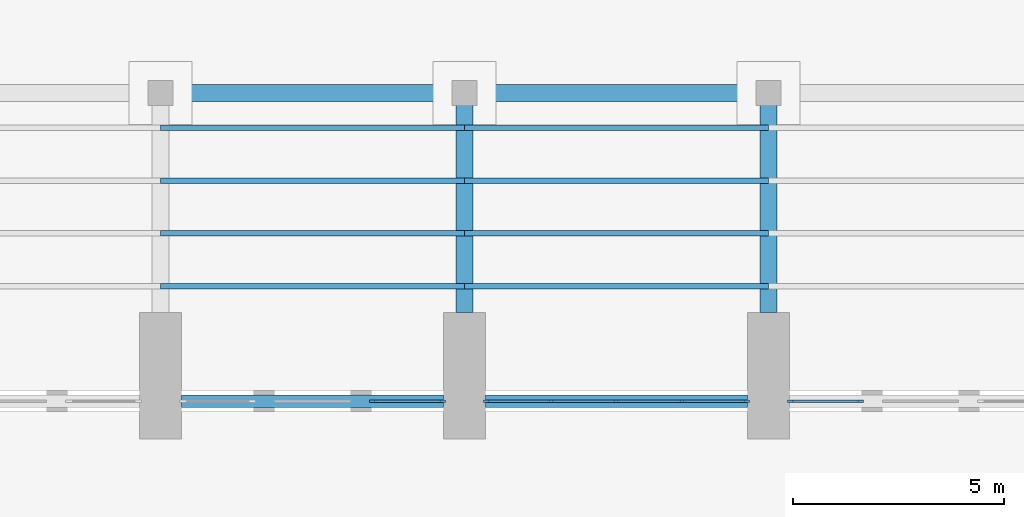
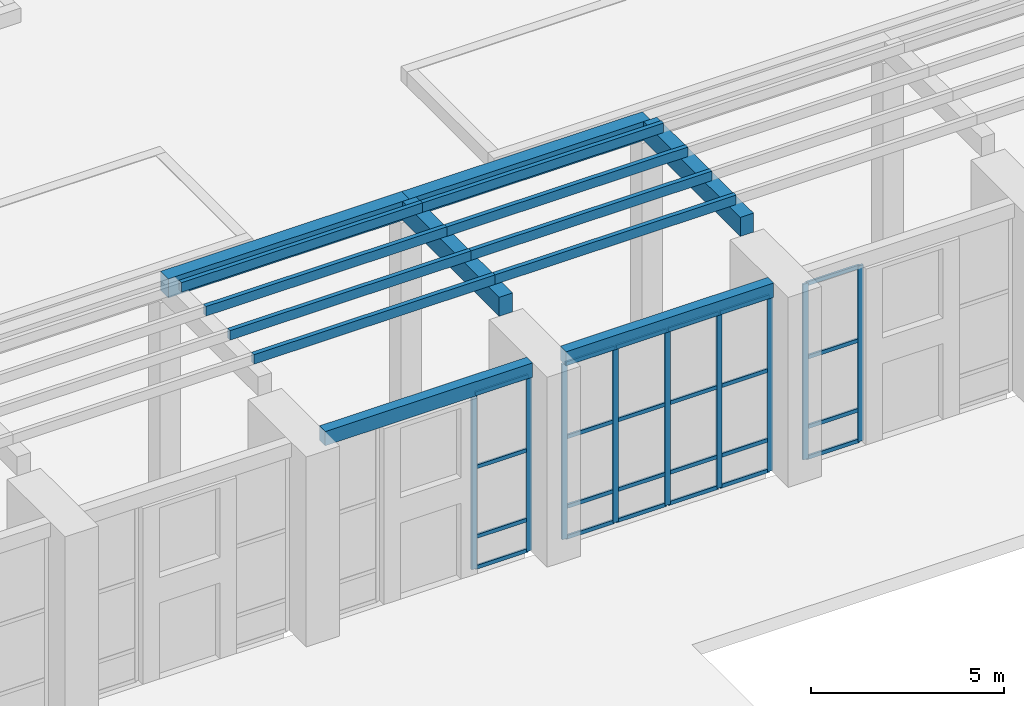
# One storey, part 19 of 70: 41 members, 6 beams, 3 elements without a shape of their own.
"""IFC4 building model written with IfcOpenShell, lengths in metres."""

from ifc_helpers import new_model, si_unit, direction, frame, origin, origin_2d, place, context, subcontext, project, spatial, rectangle, extrude, material, material_profile, profile_set, type_object, element, aggregate, save


model = new_model("IFC4")

# Units and contexts
model_context = context("Model", 3, precision=1e-05, world=origin(), true_north=direction((0.0, 1.0)))
body_context = subcontext(model_context, "Body", "Model", "MODEL_VIEW")
ifc_project = project(units=[si_unit("LENGTHUNIT", "METRE"), si_unit("AREAUNIT", "SQUARE_METRE"), si_unit("VOLUMEUNIT", "CUBIC_METRE"), si_unit("PLANEANGLEUNIT", "RADIAN"), si_unit("MASSUNIT", "GRAM", prefix="KILO")], contexts=[model_context])

# Site, building, storey
site_placement = place(None, origin())
site = spatial("IfcSite", under=ifc_project, at=site_placement, CompositionType="ELEMENT")
building_placement = place(site_placement, origin())
building = spatial("IfcBuilding", under=site, at=building_placement, Name="Vermilion Court Aquatics Centre", CompositionType="ELEMENT")
storey_placement = place(building_placement, origin())
storey = spatial("IfcBuildingStorey", under=building, at=storey_placement, Name="L00", CompositionType="ELEMENT", Elevation=0.0)

# Beams
ifc_material_1 = material(Name="Concrete 5000 psi", Category="concrete")
ifc_material_profile_1 = material_profile(ifc_material_1, rectangle(XDim=0.39990234375, YDim=0.60009765625, at=origin_2d()), Name="RC 400x600")
ifc_profile_set_1 = profile_set([ifc_material_profile_1], Name="Concrete 5000 psi")
beam_type_1 = type_object("IfcBeamType", Name="Court arcade beam RC 400x600", PredefinedType="BEAM", material=ifc_profile_set_1)
for number, where, z_axis, x_axis, name in (
    (1, (115.199951171875, 66.89990234375, 6.300048828125), (0.0, 1.0, 0.0), (-1.0, 0.0, 0.0), "Court arcade cross beam 15"),
    (2, (122.39990234375, 66.89990234375, 6.300048828125), (0.0, 1.0, 0.0), (-1.0, 0.0, 0.0), "Court arcade cross beam 16"),
):
    element("IfcBeam", number, at=place(storey_placement, frame(where, z_axis=z_axis, x_axis=x_axis)), inside=storey, type_object=beam_type_1, Name=name, PredefinedType="BEAM", context=body_context, shape_type="SweptSolid", body=[
        extrude(rectangle(XDim=0.39990234375, YDim=0.60009765625, at=origin_2d()), origin(), (0.0, 0.0, 1.0), 5.0),
    ])
for number, where, z_axis, x_axis, name in (
    (3, (108.0, 72.10009765625, 6.300048828125), (1.0, 0.0, 0.0), (0.0, 1.0, 0.0), "Court arcade edge beam 14"),
    (4, (115.199951171875, 72.10009765625, 6.300048828125), (1.0, 0.0, 0.0), (0.0, 1.0, 0.0), "Court arcade edge beam 15"),
):
    element("IfcBeam", number, at=place(storey_placement, frame(where, z_axis=z_axis, x_axis=x_axis)), inside=storey, type_object=beam_type_1, Name=name, PredefinedType="BEAM", context=body_context, shape_type="SweptSolid", body=[
        extrude(rectangle(XDim=0.39990234375, YDim=0.60009765625, at=origin_2d()), origin(), (0.0, 0.0, 1.0), 7.199951171875),
    ])

# Members
ifc_material_2 = material(Name="Glulam 24F-V4 Douglas fir", Category="wood")
ifc_material_profile_2 = material_profile(ifc_material_2, rectangle(XDim=0.1298828125, YDim=0.300048828125, at=origin_2d()), Name="GL24F 130x300")
ifc_profile_set_2 = profile_set([ifc_material_profile_2], Name="Glulam 24F-V4 Douglas fir")
member_type_1 = type_object("IfcMemberType", Name="Court arcade glulam slat GL24F 130x300", PredefinedType="MEMBER", material=ifc_profile_set_2)
for number, where, z_axis, x_axis, name in (
    (5, (108.0, 67.52490234375, 6.75), (1.0, 0.0, 0.0), (0.0, 1.0, 0.0), "Court arcade slat 14.1"),
    (6, (108.0, 68.77490234375, 6.75), (1.0, 0.0, 0.0), (0.0, 1.0, 0.0), "Court arcade slat 14.2"),
    (7, (108.0, 70.02490234375, 6.75), (1.0, 0.0, 0.0), (0.0, 1.0, 0.0), "Court arcade slat 14.3"),
    (8, (108.0, 71.27490234375, 6.75), (1.0, 0.0, 0.0), (0.0, 1.0, 0.0), "Court arcade slat 14.4"),
    (9, (115.199951171875, 67.52490234375, 6.75), (1.0, 0.0, 0.0), (0.0, 1.0, 0.0), "Court arcade slat 15.1"),
    (10, (115.199951171875, 68.77490234375, 6.75), (1.0, 0.0, 0.0), (0.0, 1.0, 0.0), "Court arcade slat 15.2"),
    (11, (115.199951171875, 70.02490234375, 6.75), (1.0, 0.0, 0.0), (0.0, 1.0, 0.0), "Court arcade slat 15.3"),
    (12, (115.199951171875, 71.27490234375, 6.75), (1.0, 0.0, 0.0), (0.0, 1.0, 0.0), "Court arcade slat 15.4"),
):
    element("IfcMember", number, at=place(storey_placement, frame(where, z_axis=z_axis, x_axis=x_axis)), inside=storey, type_object=member_type_1, Name=name, PredefinedType="MEMBER", context=body_context, shape_type="SweptSolid", body=[
        extrude(rectangle(XDim=0.1298828125, YDim=0.300048828125, at=origin_2d()), origin(), (0.0, 0.0, 1.0), 7.199951171875),
    ])

# Curtain wall, members
ifc_material_3 = material(Name="Aluminium 6063-T5", Category="aluminium")
curtain_wall_type = type_object("IfcCurtainWallType", Name="Envelope curtain wall hall glazing L00", PredefinedType="NOTDEFINED", material=ifc_material_3)
curtain_wall_1_placement = place(storey_placement, origin())
curtain_wall_1 = element("IfcCurtainWall", 13, at=curtain_wall_1_placement, inside=storey, type_object=curtain_wall_type, Name="Hall entrance sidelight bay 14 L00 E", PredefinedType="NOTDEFINED")
ifc_material_4 = material(Name="Aluminium 6063-T5", Category="aluminium")
ifc_material_profile_3 = material_profile(ifc_material_4, rectangle(XDim=0.06005859375, YDim=0.159912109375, at=origin_2d()), Name="AL 60x160")
ifc_profile_set_3 = profile_set([ifc_material_profile_3], Name="Aluminium 6063-T5")
member_type_2 = type_object("IfcMemberType", Name="Envelope aluminium mullion 60x160", PredefinedType="MULLION", material=ifc_profile_set_3)
member_1_placement = place(storey_placement, frame((113.030029296875, 64.800048828125, 0.0), z_axis=(0.0, 0.0, 1.0), x_axis=(0.0, 1.0, 0.0)))
member_1 = element("IfcMember", 14, at=member_1_placement, type_object=member_type_2, Name="ECW1 mullion 1", PredefinedType="MULLION", context=body_context, shape_type="SweptSolid", body=[
    extrude(rectangle(XDim=0.06005859375, YDim=0.159912109375, at=origin_2d()), origin(), (0.0, 0.0, 1.0), 5.550048828125),
])
member_2_placement = place(storey_placement, frame((114.669921875, 64.800048828125, 0.0), z_axis=(0.0, 0.0, 1.0), x_axis=(0.0, 1.0, 0.0)))
member_2 = element("IfcMember", 15, at=member_2_placement, type_object=member_type_2, Name="ECW1 mullion 2", PredefinedType="MULLION", context=body_context, shape_type="SweptSolid", body=[
    extrude(rectangle(XDim=0.06005859375, YDim=0.159912109375, at=origin_2d()), origin(), (0.0, 0.0, 1.0), 5.550048828125),
])

curtain_wall_2_placement = place(storey_placement, origin())
curtain_wall_2 = element("IfcCurtainWall", 16, at=curtain_wall_2_placement, inside=storey, type_object=curtain_wall_type, Name="Hall glazing bay 15 L00", PredefinedType="NOTDEFINED")
member_3_placement = place(storey_placement, frame((115.72998046875, 64.800048828125, 0.0), z_axis=(0.0, 0.0, 1.0), x_axis=(0.0, 1.0, 0.0)))
member_3 = element("IfcMember", 17, at=member_3_placement, type_object=member_type_2, Name="ECW1 mullion 1", PredefinedType="MULLION", context=body_context, shape_type="SweptSolid", body=[
    extrude(rectangle(XDim=0.06005859375, YDim=0.159912109375, at=origin_2d()), origin(), (0.0, 0.0, 1.0), 5.550048828125),
])
member_4_placement = place(storey_placement, frame((117.25, 64.800048828125, 0.0), z_axis=(0.0, 0.0, 1.0), x_axis=(0.0, 1.0, 0.0)))
member_4 = element("IfcMember", 18, at=member_4_placement, type_object=member_type_2, Name="ECW1 mullion 2", PredefinedType="MULLION", context=body_context, shape_type="SweptSolid", body=[
    extrude(rectangle(XDim=0.06005859375, YDim=0.159912109375, at=origin_2d()), origin(), (0.0, 0.0, 1.0), 5.550048828125),
])
member_5_placement = place(storey_placement, frame((118.800048828125, 64.800048828125, 0.0), z_axis=(0.0, 0.0, 1.0), x_axis=(0.0, 1.0, 0.0)))
member_5 = element("IfcMember", 19, at=member_5_placement, type_object=member_type_2, Name="ECW1 mullion 3", PredefinedType="MULLION", context=body_context, shape_type="SweptSolid", body=[
    extrude(rectangle(XDim=0.06005859375, YDim=0.159912109375, at=origin_2d()), origin(), (0.0, 0.0, 1.0), 5.550048828125),
])
member_6_placement = place(storey_placement, frame((120.35009765625, 64.800048828125, 0.0), z_axis=(0.0, 0.0, 1.0), x_axis=(0.0, 1.0, 0.0)))
member_6 = element("IfcMember", 20, at=member_6_placement, type_object=member_type_2, Name="ECW1 mullion 4", PredefinedType="MULLION", context=body_context, shape_type="SweptSolid", body=[
    extrude(rectangle(XDim=0.06005859375, YDim=0.159912109375, at=origin_2d()), origin(), (0.0, 0.0, 1.0), 5.550048828125),
])
member_7_placement = place(storey_placement, frame((121.8701171875, 64.800048828125, 0.0), z_axis=(0.0, 0.0, 1.0), x_axis=(0.0, 1.0, 0.0)))
member_7 = element("IfcMember", 21, at=member_7_placement, type_object=member_type_2, Name="ECW1 mullion 5", PredefinedType="MULLION", context=body_context, shape_type="SweptSolid", body=[
    extrude(rectangle(XDim=0.06005859375, YDim=0.159912109375, at=origin_2d()), origin(), (0.0, 0.0, 1.0), 5.550048828125),
])

curtain_wall_3_placement = place(storey_placement, origin())
curtain_wall_3 = element("IfcCurtainWall", 22, at=curtain_wall_3_placement, inside=storey, type_object=curtain_wall_type, Name="Hall entrance sidelight bay 16 L00 W", PredefinedType="NOTDEFINED")
member_8_placement = place(storey_placement, frame((122.929931640625, 64.800048828125, 0.0), z_axis=(0.0, 0.0, 1.0), x_axis=(0.0, 1.0, 0.0)))
member_8 = element("IfcMember", 23, at=member_8_placement, type_object=member_type_2, Name="ECW1 mullion 1", PredefinedType="MULLION", context=body_context, shape_type="SweptSolid", body=[
    extrude(rectangle(XDim=0.06005859375, YDim=0.159912109375, at=origin_2d()), origin(), (0.0, 0.0, 1.0), 5.550048828125),
])
member_9_placement = place(storey_placement, frame((124.570068359375, 64.800048828125, 0.0), z_axis=(0.0, 0.0, 1.0), x_axis=(0.0, 1.0, 0.0)))
member_9 = element("IfcMember", 24, at=member_9_placement, type_object=member_type_2, Name="ECW1 mullion 2", PredefinedType="MULLION", context=body_context, shape_type="SweptSolid", body=[
    extrude(rectangle(XDim=0.06005859375, YDim=0.159912109375, at=origin_2d()), origin(), (0.0, 0.0, 1.0), 5.550048828125),
])

# Member
ifc_material_5 = material(Name="Aluminium 6063-T5", Category="aluminium")
ifc_material_profile_4 = material_profile(ifc_material_5, rectangle(XDim=0.06005859375, YDim=0.1201171875, at=origin_2d()), Name="AL 60x120")
ifc_profile_set_4 = profile_set([ifc_material_profile_4], Name="Aluminium 6063-T5")
member_type_3 = type_object("IfcMemberType", Name="Envelope aluminium transom 60x120", PredefinedType="USERDEFINED", material=ifc_profile_set_4)
member_10_placement = place(storey_placement, frame((113.06005859375, 64.800048828125, 0.030029296875), z_axis=(1.0, 0.0, 0.0), x_axis=(0.0, 1.0, 0.0)))
member_10 = element("IfcMember", 25, at=member_10_placement, type_object=member_type_3, Name="ECW1 transom 1.1", ObjectType="TRANSOM", PredefinedType="USERDEFINED", context=body_context, shape_type="SweptSolid", body=[
    extrude(rectangle(XDim=0.06005859375, YDim=0.1201171875, at=origin_2d()), origin(), (0.0, 0.0, 1.0), 1.579833984375),
])

member_11_placement = place(storey_placement, frame((113.06005859375, 64.800048828125, 1.0), z_axis=(1.0, 0.0, 0.0), x_axis=(0.0, 1.0, 0.0)))
member_11 = element("IfcMember", 26, at=member_11_placement, type_object=member_type_3, Name="ECW1 transom 1.2", ObjectType="TRANSOM", PredefinedType="USERDEFINED", context=body_context, shape_type="SweptSolid", body=[
    extrude(rectangle(XDim=0.06005859375, YDim=0.1201171875, at=origin_2d()), origin(), (0.0, 0.0, 1.0), 1.579833984375),
])

member_12_placement = place(storey_placement, frame((113.06005859375, 64.800048828125, 3.199951171875), z_axis=(1.0, 0.0, 0.0), x_axis=(0.0, 1.0, 0.0)))
member_12 = element("IfcMember", 27, at=member_12_placement, type_object=member_type_3, Name="ECW1 transom 1.3", ObjectType="TRANSOM", PredefinedType="USERDEFINED", context=body_context, shape_type="SweptSolid", body=[
    extrude(rectangle(XDim=0.06005859375, YDim=0.1201171875, at=origin_2d()), origin(), (0.0, 0.0, 1.0), 1.579833984375),
])

member_13_placement = place(storey_placement, frame((113.06005859375, 64.800048828125, 5.52001953125), z_axis=(1.0, 0.0, 0.0), x_axis=(0.0, 1.0, 0.0)))
member_13 = element("IfcMember", 28, at=member_13_placement, type_object=member_type_3, Name="ECW1 transom 1.4", ObjectType="TRANSOM", PredefinedType="USERDEFINED", context=body_context, shape_type="SweptSolid", body=[
    extrude(rectangle(XDim=0.06005859375, YDim=0.1201171875, at=origin_2d()), origin(), (0.0, 0.0, 1.0), 1.579833984375),
])

aggregate(curtain_wall_1, [member_1, member_2, member_10, member_11, member_12, member_13])

member_14_placement = place(storey_placement, frame((115.760009765625, 64.800048828125, 0.030029296875), z_axis=(1.0, 0.0, 0.0), x_axis=(0.0, 1.0, 0.0)))
member_14 = element("IfcMember", 29, at=member_14_placement, type_object=member_type_3, Name="ECW1 transom 1.1", ObjectType="TRANSOM", PredefinedType="USERDEFINED", context=body_context, shape_type="SweptSolid", body=[
    extrude(rectangle(XDim=0.06005859375, YDim=0.1201171875, at=origin_2d()), origin(), (0.0, 0.0, 1.0), 1.4599609375),
])

member_15_placement = place(storey_placement, frame((115.760009765625, 64.800048828125, 1.0), z_axis=(1.0, 0.0, 0.0), x_axis=(0.0, 1.0, 0.0)))
member_15 = element("IfcMember", 30, at=member_15_placement, type_object=member_type_3, Name="ECW1 transom 1.2", ObjectType="TRANSOM", PredefinedType="USERDEFINED", context=body_context, shape_type="SweptSolid", body=[
    extrude(rectangle(XDim=0.06005859375, YDim=0.1201171875, at=origin_2d()), origin(), (0.0, 0.0, 1.0), 1.4599609375),
])

member_16_placement = place(storey_placement, frame((115.760009765625, 64.800048828125, 3.199951171875), z_axis=(1.0, 0.0, 0.0), x_axis=(0.0, 1.0, 0.0)))
member_16 = element("IfcMember", 31, at=member_16_placement, type_object=member_type_3, Name="ECW1 transom 1.3", ObjectType="TRANSOM", PredefinedType="USERDEFINED", context=body_context, shape_type="SweptSolid", body=[
    extrude(rectangle(XDim=0.06005859375, YDim=0.1201171875, at=origin_2d()), origin(), (0.0, 0.0, 1.0), 1.4599609375),
])

member_17_placement = place(storey_placement, frame((115.760009765625, 64.800048828125, 5.52001953125), z_axis=(1.0, 0.0, 0.0), x_axis=(0.0, 1.0, 0.0)))
member_17 = element("IfcMember", 32, at=member_17_placement, type_object=member_type_3, Name="ECW1 transom 1.4", ObjectType="TRANSOM", PredefinedType="USERDEFINED", context=body_context, shape_type="SweptSolid", body=[
    extrude(rectangle(XDim=0.06005859375, YDim=0.1201171875, at=origin_2d()), origin(), (0.0, 0.0, 1.0), 1.4599609375),
])

member_18_placement = place(storey_placement, frame((117.280029296875, 64.800048828125, 0.030029296875), z_axis=(1.0, 0.0, 0.0), x_axis=(0.0, 1.0, 0.0)))
member_18 = element("IfcMember", 33, at=member_18_placement, type_object=member_type_3, Name="ECW1 transom 2.1", ObjectType="TRANSOM", PredefinedType="USERDEFINED", context=body_context, shape_type="SweptSolid", body=[
    extrude(rectangle(XDim=0.06005859375, YDim=0.1201171875, at=origin_2d()), origin(), (0.0, 0.0, 1.0), 1.489990234375),
])

member_19_placement = place(storey_placement, frame((117.280029296875, 64.800048828125, 1.0), z_axis=(1.0, 0.0, 0.0), x_axis=(0.0, 1.0, 0.0)))
member_19 = element("IfcMember", 34, at=member_19_placement, type_object=member_type_3, Name="ECW1 transom 2.2", ObjectType="TRANSOM", PredefinedType="USERDEFINED", context=body_context, shape_type="SweptSolid", body=[
    extrude(rectangle(XDim=0.06005859375, YDim=0.1201171875, at=origin_2d()), origin(), (0.0, 0.0, 1.0), 1.489990234375),
])

member_20_placement = place(storey_placement, frame((117.280029296875, 64.800048828125, 3.199951171875), z_axis=(1.0, 0.0, 0.0), x_axis=(0.0, 1.0, 0.0)))
member_20 = element("IfcMember", 35, at=member_20_placement, type_object=member_type_3, Name="ECW1 transom 2.3", ObjectType="TRANSOM", PredefinedType="USERDEFINED", context=body_context, shape_type="SweptSolid", body=[
    extrude(rectangle(XDim=0.06005859375, YDim=0.1201171875, at=origin_2d()), origin(), (0.0, 0.0, 1.0), 1.489990234375),
])

member_21_placement = place(storey_placement, frame((117.280029296875, 64.800048828125, 5.52001953125), z_axis=(1.0, 0.0, 0.0), x_axis=(0.0, 1.0, 0.0)))
member_21 = element("IfcMember", 36, at=member_21_placement, type_object=member_type_3, Name="ECW1 transom 2.4", ObjectType="TRANSOM", PredefinedType="USERDEFINED", context=body_context, shape_type="SweptSolid", body=[
    extrude(rectangle(XDim=0.06005859375, YDim=0.1201171875, at=origin_2d()), origin(), (0.0, 0.0, 1.0), 1.489990234375),
])

member_22_placement = place(storey_placement, frame((118.830078125, 64.800048828125, 0.030029296875), z_axis=(1.0, 0.0, 0.0), x_axis=(0.0, 1.0, 0.0)))
member_22 = element("IfcMember", 37, at=member_22_placement, type_object=member_type_3, Name="ECW1 transom 3.1", ObjectType="TRANSOM", PredefinedType="USERDEFINED", context=body_context, shape_type="SweptSolid", body=[
    extrude(rectangle(XDim=0.06005859375, YDim=0.1201171875, at=origin_2d()), origin(), (0.0, 0.0, 1.0), 1.489990234375),
])

member_23_placement = place(storey_placement, frame((118.830078125, 64.800048828125, 1.0), z_axis=(1.0, 0.0, 0.0), x_axis=(0.0, 1.0, 0.0)))
member_23 = element("IfcMember", 38, at=member_23_placement, type_object=member_type_3, Name="ECW1 transom 3.2", ObjectType="TRANSOM", PredefinedType="USERDEFINED", context=body_context, shape_type="SweptSolid", body=[
    extrude(rectangle(XDim=0.06005859375, YDim=0.1201171875, at=origin_2d()), origin(), (0.0, 0.0, 1.0), 1.489990234375),
])

member_24_placement = place(storey_placement, frame((118.830078125, 64.800048828125, 3.199951171875), z_axis=(1.0, 0.0, 0.0), x_axis=(0.0, 1.0, 0.0)))
member_24 = element("IfcMember", 39, at=member_24_placement, type_object=member_type_3, Name="ECW1 transom 3.3", ObjectType="TRANSOM", PredefinedType="USERDEFINED", context=body_context, shape_type="SweptSolid", body=[
    extrude(rectangle(XDim=0.06005859375, YDim=0.1201171875, at=origin_2d()), origin(), (0.0, 0.0, 1.0), 1.489990234375),
])

member_25_placement = place(storey_placement, frame((118.830078125, 64.800048828125, 5.52001953125), z_axis=(1.0, 0.0, 0.0), x_axis=(0.0, 1.0, 0.0)))
member_25 = element("IfcMember", 40, at=member_25_placement, type_object=member_type_3, Name="ECW1 transom 3.4", ObjectType="TRANSOM", PredefinedType="USERDEFINED", context=body_context, shape_type="SweptSolid", body=[
    extrude(rectangle(XDim=0.06005859375, YDim=0.1201171875, at=origin_2d()), origin(), (0.0, 0.0, 1.0), 1.489990234375),
])

member_26_placement = place(storey_placement, frame((120.3798828125, 64.800048828125, 0.030029296875), z_axis=(1.0, 0.0, 0.0), x_axis=(0.0, 1.0, 0.0)))
member_26 = element("IfcMember", 41, at=member_26_placement, type_object=member_type_3, Name="ECW1 transom 4.1", ObjectType="TRANSOM", PredefinedType="USERDEFINED", context=body_context, shape_type="SweptSolid", body=[
    extrude(rectangle(XDim=0.06005859375, YDim=0.1201171875, at=origin_2d()), origin(), (0.0, 0.0, 1.0), 1.460205078125),
])

member_27_placement = place(storey_placement, frame((120.3798828125, 64.800048828125, 1.0), z_axis=(1.0, 0.0, 0.0), x_axis=(0.0, 1.0, 0.0)))
member_27 = element("IfcMember", 42, at=member_27_placement, type_object=member_type_3, Name="ECW1 transom 4.2", ObjectType="TRANSOM", PredefinedType="USERDEFINED", context=body_context, shape_type="SweptSolid", body=[
    extrude(rectangle(XDim=0.06005859375, YDim=0.1201171875, at=origin_2d()), origin(), (0.0, 0.0, 1.0), 1.460205078125),
])

member_28_placement = place(storey_placement, frame((120.3798828125, 64.800048828125, 3.199951171875), z_axis=(1.0, 0.0, 0.0), x_axis=(0.0, 1.0, 0.0)))
member_28 = element("IfcMember", 43, at=member_28_placement, type_object=member_type_3, Name="ECW1 transom 4.3", ObjectType="TRANSOM", PredefinedType="USERDEFINED", context=body_context, shape_type="SweptSolid", body=[
    extrude(rectangle(XDim=0.06005859375, YDim=0.1201171875, at=origin_2d()), origin(), (0.0, 0.0, 1.0), 1.460205078125),
])

member_29_placement = place(storey_placement, frame((120.3798828125, 64.800048828125, 5.52001953125), z_axis=(1.0, 0.0, 0.0), x_axis=(0.0, 1.0, 0.0)))
member_29 = element("IfcMember", 44, at=member_29_placement, type_object=member_type_3, Name="ECW1 transom 4.4", ObjectType="TRANSOM", PredefinedType="USERDEFINED", context=body_context, shape_type="SweptSolid", body=[
    extrude(rectangle(XDim=0.06005859375, YDim=0.1201171875, at=origin_2d()), origin(), (0.0, 0.0, 1.0), 1.460205078125),
])

aggregate(curtain_wall_2, [member_3, member_4, member_5, member_6, member_7, member_14, member_15, member_16, member_17, member_18, member_19, member_20, member_21, member_22, member_23, member_24, member_25, member_26, member_27, member_28, member_29])

member_30_placement = place(storey_placement, frame((122.9599609375, 64.800048828125, 0.030029296875), z_axis=(1.0, 0.0, 0.0), x_axis=(0.0, 1.0, 0.0)))
member_30 = element("IfcMember", 45, at=member_30_placement, type_object=member_type_3, Name="ECW1 transom 1.1", ObjectType="TRANSOM", PredefinedType="USERDEFINED", context=body_context, shape_type="SweptSolid", body=[
    extrude(rectangle(XDim=0.06005859375, YDim=0.1201171875, at=origin_2d()), origin(), (0.0, 0.0, 1.0), 1.580078125),
])

member_31_placement = place(storey_placement, frame((122.9599609375, 64.800048828125, 1.0), z_axis=(1.0, 0.0, 0.0), x_axis=(0.0, 1.0, 0.0)))
member_31 = element("IfcMember", 46, at=member_31_placement, type_object=member_type_3, Name="ECW1 transom 1.2", ObjectType="TRANSOM", PredefinedType="USERDEFINED", context=body_context, shape_type="SweptSolid", body=[
    extrude(rectangle(XDim=0.06005859375, YDim=0.1201171875, at=origin_2d()), origin(), (0.0, 0.0, 1.0), 1.580078125),
])

member_32_placement = place(storey_placement, frame((122.9599609375, 64.800048828125, 3.199951171875), z_axis=(1.0, 0.0, 0.0), x_axis=(0.0, 1.0, 0.0)))
member_32 = element("IfcMember", 47, at=member_32_placement, type_object=member_type_3, Name="ECW1 transom 1.3", ObjectType="TRANSOM", PredefinedType="USERDEFINED", context=body_context, shape_type="SweptSolid", body=[
    extrude(rectangle(XDim=0.06005859375, YDim=0.1201171875, at=origin_2d()), origin(), (0.0, 0.0, 1.0), 1.580078125),
])

member_33_placement = place(storey_placement, frame((122.9599609375, 64.800048828125, 5.52001953125), z_axis=(1.0, 0.0, 0.0), x_axis=(0.0, 1.0, 0.0)))
member_33 = element("IfcMember", 48, at=member_33_placement, type_object=member_type_3, Name="ECW1 transom 1.4", ObjectType="TRANSOM", PredefinedType="USERDEFINED", context=body_context, shape_type="SweptSolid", body=[
    extrude(rectangle(XDim=0.06005859375, YDim=0.1201171875, at=origin_2d()), origin(), (0.0, 0.0, 1.0), 1.580078125),
])

aggregate(curtain_wall_3, [member_8, member_9, member_30, member_31, member_32, member_33])

# Beams
ifc_material_6 = material(Name="Concrete 5000 psi", Category="concrete")
ifc_material_profile_5 = material_profile(ifc_material_6, rectangle(XDim=0.300048828125, YDim=0.449951171875, at=origin_2d()), Name="RC 300x450")
ifc_profile_set_5 = profile_set([ifc_material_profile_5], Name="Concrete 5000 psi")
beam_type_2 = type_object("IfcBeamType", Name="Envelope north wall head beam RC 300x450", PredefinedType="BEAM", material=ifc_profile_set_5)
for number, where, z_axis, x_axis, name in (
    (49, (108.5, 64.800048828125, 5.77490234375), (1.0, 0.0, 0.0), (0.0, 1.0, 0.0), "North wall head beam 14"),
    (50, (115.699951171875, 64.800048828125, 5.77490234375), (1.0, 0.0, 0.0), (0.0, 1.0, 0.0), "North wall head beam 15"),
):
    element("IfcBeam", number, at=place(storey_placement, frame(where, z_axis=z_axis, x_axis=x_axis)), inside=storey, type_object=beam_type_2, Name=name, PredefinedType="BEAM", context=body_context, shape_type="SweptSolid", body=[
        extrude(rectangle(XDim=0.300048828125, YDim=0.449951171875, at=origin_2d()), origin(), (0.0, 0.0, 1.0), 6.199951171875),
    ])

save(model, "model.ifc")
